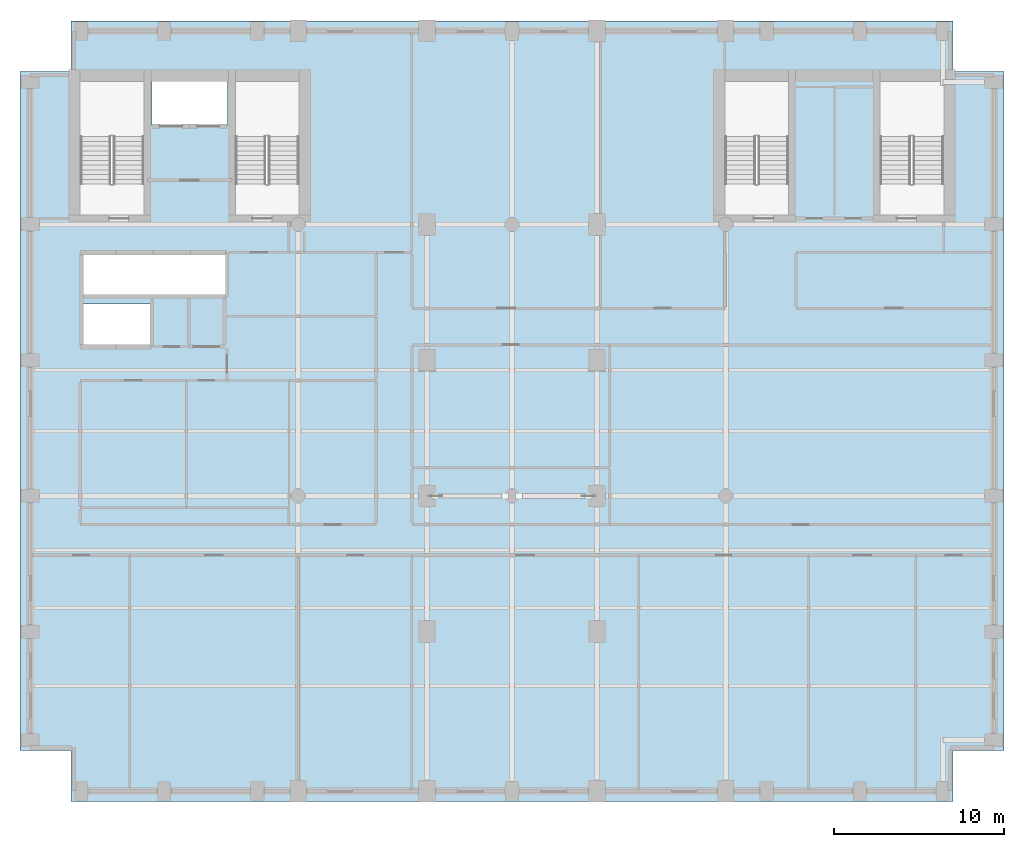
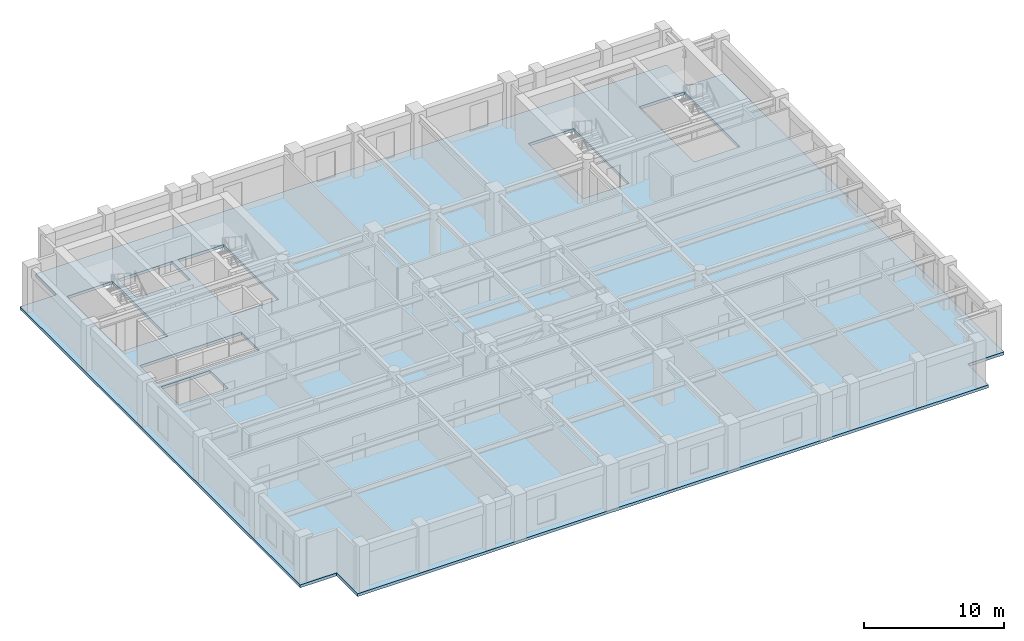
# One storey, part 3 of 10: 1 slab.
"""IFC4 building model written with IfcOpenShell, lengths in metres."""

from ifc_helpers import new_model, si_unit, direction, frame, origin, place, context, subcontext, project, spatial, polyline, outline, extrude, material, layer, layer_set, type_object, element, save


model = new_model("IFC4")

# Units and contexts
model_context = context("Model", 3, precision=1e-05, world=origin(), true_north=direction((0.0, 1.0)))
body_context = subcontext(model_context, "Body", "Model", "MODEL_VIEW")
ifc_project = project(units=[si_unit("LENGTHUNIT", "METRE"), si_unit("AREAUNIT", "SQUARE_METRE"), si_unit("VOLUMEUNIT", "CUBIC_METRE"), si_unit("PLANEANGLEUNIT", "RADIAN"), si_unit("MASSUNIT", "GRAM", prefix="KILO")], contexts=[model_context])

# Site, building, storey
site_placement = place(None, origin())
site = spatial("IfcSite", under=ifc_project, at=site_placement, CompositionType="ELEMENT")
building_placement = place(site_placement, origin())
building = spatial("IfcBuilding", under=site, at=building_placement, Name="Sulina Concourse Tower", CompositionType="ELEMENT")
storey_placement = place(building_placement, frame((0.0, 0.0, 210.60009765625)))
storey = spatial("IfcBuildingStorey", under=building, at=storey_placement, Name="L51", CompositionType="ELEMENT", Elevation=210.60009765625)

# Slab
ifc_material = material(Name="Concrete C50/60", Category="concrete")
ifc_layer = layer(ifc_material, 0.25)
ifc_layer_set = layer_set([ifc_layer], Name="Concrete C50/60")
slab_type = type_object("IfcSlabType", Name="High-Rise Composite Floor Slab 250mm", PredefinedType="FLOOR", material=ifc_layer_set)
slab_placement = place(storey_placement, frame((0.0, 0.0, -0.25)))
element("IfcSlab", 1, at=slab_placement, inside=storey, type_object=slab_type, Name="L51 structural floor slab", PredefinedType="FLOOR", context=body_context, shape_type="SweptSolid", body=[
    extrude(outline(polyline([(3.0, 0.0), (55.0, 0.0), (55.0, 3.0), (58.0, 3.0), (58.0, 43.0), (55.0, 43.0), (55.0, 46.0), (3.0, 46.0), (3.0, 43.0), (0.0, 43.0), (0.0, 3.0), (3.0, 3.0), (3.0, 0.0)]), holes=[polyline([(7.31005859375, 34.550048828125), (7.31005859375, 42.429931640625), (3.550048828125, 42.429931640625), (3.550048828125, 34.550048828125), (7.31005859375, 34.550048828125)]), polyline([(16.449951171875, 34.550048828125), (16.449951171875, 42.429931640625), (12.68994140625, 42.429931640625), (12.68994140625, 34.550048828125), (16.449951171875, 34.550048828125)]), polyline([(45.31005859375, 34.550048828125), (45.31005859375, 42.429931640625), (41.550048828125, 42.429931640625), (41.550048828125, 34.550048828125), (45.31005859375, 34.550048828125)]), polyline([(54.449951171875, 34.550048828125), (54.449951171875, 42.429931640625), (50.68994140625, 42.429931640625), (50.68994140625, 34.550048828125), (54.449951171875, 34.550048828125)]), polyline([(7.780029296875, 39.830078125), (12.219970703125, 39.830078125), (12.219970703125, 42.449951171875), (7.780029296875, 42.449951171875), (7.780029296875, 39.830078125)]), polyline([(3.739990234375, 26.780029296875), (7.77001953125, 26.780029296875), (7.77001953125, 29.320068359375), (3.739990234375, 29.320068359375), (3.739990234375, 26.780029296875)]), polyline([(3.739990234375, 29.780029296875), (12.10009765625, 29.780029296875), (12.10009765625, 32.3701171875), (3.739990234375, 32.3701171875), (3.739990234375, 29.780029296875)])]), origin(), (0.0, 0.0, 1.0), 0.25),
])

save(model, "model.ifc")
